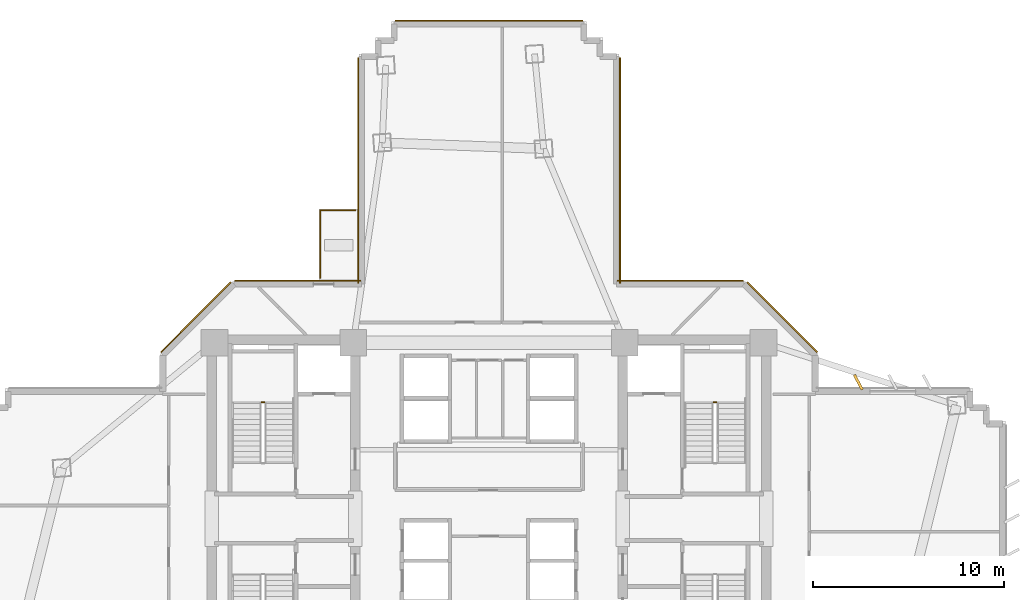
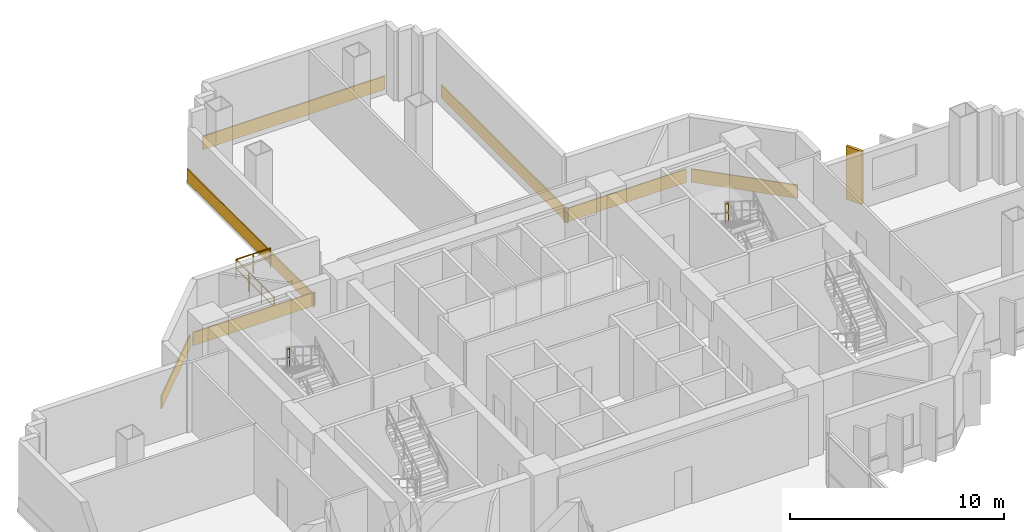
# One storey, part 13 of 14: 7 coverings, 4 railings, 1 shading device.
"""IFC4 building model written with IfcOpenShell, lengths in metres."""

from ifc_helpers import new_model, si_unit, direction, frame, origin, origin_2d, place, context, subcontext, project, spatial, rectangle, extrude, source, transform, mapped, material, layer, layer_set, type_object, element, save


model = new_model("IFC4")

# Units and contexts
model_context = context("Model", 3, precision=1e-05, world=origin(), true_north=direction((0.0, 1.0)))
body_context = subcontext(model_context, "Body", "Model", "MODEL_VIEW")
ifc_project = project(units=[si_unit("LENGTHUNIT", "METRE"), si_unit("AREAUNIT", "SQUARE_METRE"), si_unit("VOLUMEUNIT", "CUBIC_METRE"), si_unit("PLANEANGLEUNIT", "RADIAN"), si_unit("MASSUNIT", "GRAM", prefix="KILO")], contexts=[model_context])

# Site, building, storey
site_placement = place(None, origin())
site = spatial("IfcSite", under=ifc_project, at=site_placement, CompositionType="ELEMENT")
building_placement = place(site_placement, origin())
building = spatial("IfcBuilding", under=site, at=building_placement, Name="Zahravan Cultural Tower", CompositionType="ELEMENT")
storey_placement = place(building_placement, frame((0.0, 0.0, 37.5)))
storey = spatial("IfcBuildingStorey", under=building, at=storey_placement, Name="L07", CompositionType="ELEMENT", Elevation=37.5)

# Railings
ifc_material_1 = material(Name="Steel ASTM A572 Grade 50", Category="steel")
railing_type_1 = type_object("IfcRailingType", Name="RL-BAL-1150", PredefinedType="BALUSTRADE", material=ifc_material_1)
railing_1_placement = place(storey_placement, frame((27.169921875, 43.1298828125, 0.0)))
element("IfcRailing", 1, at=railing_1_placement, inside=storey, type_object=railing_type_1, Name="L07 Edge Balustrade GRD-TR-L07-NW-01", PredefinedType="BALUSTRADE", context=body_context, shape_type="SweptSolid", body=[
    extrude(rectangle(XDim=0.05, YDim=0.05, at=origin_2d()), frame((0.0, 0.0, 1.125), z_axis=(1.0, 0.0, 0.0), x_axis=(0.0, 1.0, 0.0)), (0.0, 0.0, 1.0), 1.85009765625),
    extrude(rectangle(XDim=0.032, YDim=0.032, at=origin_2d()), frame((0.0, 0.0, 0.597900390625), z_axis=(1.0, 0.0, 0.0), x_axis=(0.0, 1.0, 0.0)), (0.0, 0.0, 1.0), 1.85009765625),
    extrude(rectangle(XDim=0.04, YDim=0.04, at=origin_2d()), origin(), (0.0, 0.0, 1.0), 1.14990234375),
    extrude(rectangle(XDim=0.04, YDim=0.04, at=origin_2d()), frame((0.925048828125, 0.0, 0.0)), (0.0, 0.0, 1.0), 1.14990234375),
    extrude(rectangle(XDim=0.04, YDim=0.04, at=origin_2d()), frame((1.85009765625, 0.0, 0.0)), (0.0, 0.0, 1.0), 1.14990234375),
])
railing_2_placement = place(storey_placement, frame((27.169921875, 39.580078125, 0.0)))
element("IfcRailing", 2, at=railing_2_placement, inside=storey, type_object=railing_type_1, Name="L07 Edge Balustrade GRD-TR-L07-NW-02", PredefinedType="BALUSTRADE", context=body_context, shape_type="SweptSolid", body=[
    extrude(rectangle(XDim=0.05, YDim=0.05, at=origin_2d()), frame((0.0, 0.0, 1.125), z_axis=(0.0, 1.0, 0.0), x_axis=(-1.0, 0.0, 0.0)), (0.0, 0.0, 1.0), 3.5498046875),
    extrude(rectangle(XDim=0.032, YDim=0.032, at=origin_2d()), frame((0.0, 0.0, 0.597900390625), z_axis=(0.0, 1.0, 0.0), x_axis=(-1.0, 0.0, 0.0)), (0.0, 0.0, 1.0), 3.5498046875),
    extrude(rectangle(XDim=0.04, YDim=0.04, at=origin_2d()), origin(), (0.0, 0.0, 1.0), 1.14990234375),
    extrude(rectangle(XDim=0.04, YDim=0.04, at=origin_2d()), frame((0.0, 1.183349609375, 0.0)), (0.0, 0.0, 1.0), 1.14990234375),
    extrude(rectangle(XDim=0.04, YDim=0.04, at=origin_2d()), frame((0.0, 2.366455078125, 0.0)), (0.0, 0.0, 1.0), 1.14990234375),
    extrude(rectangle(XDim=0.04, YDim=0.04, at=origin_2d()), frame((0.0, 3.5498046875, 0.0)), (0.0, 0.0, 1.0), 1.14990234375),
])
railing_type_2 = type_object("IfcRailingType", Name="RL-STAIR-GRD1150", PredefinedType="BALUSTRADE", material=ifc_material_1)
for number, where, name in (
    (3, (24.25, 33.080078125, 2.10009765625), "L07 ST-W1 stair guard 2"),
    (4, (47.89990234375, 33.080078125, 2.10009765625), "L07 ST-E1 stair guard 2"),
):
    element("IfcRailing", number, at=place(storey_placement, frame(where)), inside=storey, type_object=railing_type_2, Name=name, PredefinedType="BALUSTRADE", context=body_context, shape_type="SweptSolid", body=[
        extrude(rectangle(XDim=0.05, YDim=0.05, at=origin_2d()), frame((0.0, 0.0, 1.0751953125), z_axis=(-1.0, 0.0, 0.0), x_axis=(0.0, -1.0, 0.0)), (0.0, 0.0, 1.0), 0.14990234375),
        extrude(rectangle(XDim=0.032, YDim=0.032, at=origin_2d()), frame((0.0, 0.0, 0.572021484375), z_axis=(-1.0, 0.0, 0.0), x_axis=(0.0, -1.0, 0.0)), (0.0, 0.0, 1.0), 0.14990234375),
        extrude(rectangle(XDim=0.04, YDim=0.04, at=origin_2d()), origin(), (0.0, 0.0, 1.0), 1.10009765625),
        extrude(rectangle(XDim=0.04, YDim=0.04, at=origin_2d()), frame((-0.14990234375, 0.0, 0.0)), (0.0, 0.0, 1.0), 1.10009765625),
    ])

# Shading device
ifc_material_2 = material(Name="Architectural terracotta fin", Category="masonry")
shading_device_type = type_object("IfcShadingDeviceType", Name="SHD-FIN-880", PredefinedType="USERDEFINED", material=ifc_material_2)
shared_shape_1 = source(origin(), body_context, "Body", "SweptSolid", [
    extrude(rectangle(XDim=0.8798828125, YDim=0.139892578125, at=origin_2d()), origin(), (0.0, 0.0, 1.0), 3.030029296875),
])
shading_device_placement = place(storey_placement, frame((55.31005859375, 34.1298828125, 0.0498046875), z_axis=(0.0, 0.0, 1.0), x_axis=(-0.469471562786, 0.882947592859, 0.0)))
element("IfcShadingDevice", 5, at=shading_device_placement, inside=storey, type_object=shading_device_type, Name="L07 Herringbone Terracotta Fin 01", ObjectType="FIN", PredefinedType="USERDEFINED", context=body_context, shape_type="MappedRepresentation", body=[
    mapped(shared_shape_1, transform((0.0, 0.0, 0.0), x_axis=(1.0, 0.0, 0.0), y_axis=(0.0, 1.0, 0.0), z_axis=(0.0, 0.0, 1.0), scale=1.0)),
])

# Coverings
ifc_material_3 = material(Name="Terracotta ceramic cladding", Category="masonry")
ifc_layer = layer(ifc_material_3, 0.06005859375)
ifc_layer_set = layer_set([ifc_layer], Name="Terracotta ceramic cladding")
covering_type = type_object("IfcCoveringType", Name="COV-CLAD-TC60", PredefinedType="CLADDING", material=ifc_layer_set)
shared_shape_2 = source(origin(), body_context, "Body", "SweptSolid", [
    extrude(rectangle(XDim=9.820068359375, YDim=0.06005859375, at=origin_2d()), origin(), (0.0, 0.0, 1.0), 0.760009765625),
])
covering_placement = place(storey_placement, frame((36.0, 53.044921875, 0.02001953125), z_axis=(0.0, 0.0, 1.0), x_axis=(1.0, 0.0, 0.0)))
element("IfcCovering", 6, at=covering_placement, inside=storey, type_object=covering_type, Name="L07 Terracotta Spandrel Cladding 46", PredefinedType="CLADDING", context=body_context, shape_type="MappedRepresentation", body=[
    mapped(shared_shape_2, transform((0.0, 0.0, 0.0), x_axis=(1.0, 0.0, 0.0), y_axis=(0.0, 1.0, 0.0), z_axis=(0.0, 0.0, 1.0), scale=1.0)),
])
shared_shape_3 = source(origin(), body_context, "Body", "SweptSolid", [
    extrude(rectangle(XDim=5.157958984375, YDim=0.06005859375, at=origin_2d()), origin(), (0.0, 0.0, 1.0), 0.760009765625),
])
for number, where, z_axis, x_axis, name in (
    (7, (20.668212890625, 37.53173828125, 0.02001953125), (0.0, 0.0, 1.0), (0.707106781187, 0.707106781187, 0.0), "L07 Terracotta Spandrel Cladding 39"),
    (8, (51.331787109375, 37.53173828125, 0.02001953125), (0.0, 0.0, 1.0), (0.707106781187, -0.707106781187, 0.0), "L07 Terracotta Spandrel Cladding 53"),
):
    element("IfcCovering", number, at=place(storey_placement, frame(where, z_axis=z_axis, x_axis=x_axis)), inside=storey, type_object=covering_type, Name=name, PredefinedType="CLADDING", context=body_context, shape_type="MappedRepresentation", body=[
        mapped(shared_shape_3, transform((0.0, 0.0, 0.0), x_axis=(1.0, 0.0, 0.0), y_axis=(0.0, 1.0, 0.0), z_axis=(0.0, 0.0, 1.0), scale=1.0)),
    ])
shared_shape_4 = source(origin(), body_context, "Body", "SweptSolid", [
    extrude(rectangle(XDim=6.58203125, YDim=0.06005859375, at=origin_2d()), origin(), (0.0, 0.0, 1.0), 0.760009765625),
])
for number, where, z_axis, x_axis, name in (
    (9, (25.9990234375, 39.445068359375, 0.02001953125), (0.0, 0.0, 1.0), (1.0, 0.0, 0.0), "L07 Terracotta Spandrel Cladding 40"),
    (10, (46.0009765625, 39.445068359375, 0.02001953125), (0.0, 0.0, 1.0), (1.0, 0.0, 0.0), "L07 Terracotta Spandrel Cladding 52"),
):
    element("IfcCovering", number, at=place(storey_placement, frame(where, z_axis=z_axis, x_axis=x_axis)), inside=storey, type_object=covering_type, Name=name, PredefinedType="CLADDING", context=body_context, shape_type="MappedRepresentation", body=[
        mapped(shared_shape_4, transform((0.0, 0.0, 0.0), x_axis=(1.0, 0.0, 0.0), y_axis=(0.0, 1.0, 0.0), z_axis=(0.0, 0.0, 1.0), scale=1.0)),
    ])
shared_shape_5 = source(origin(), body_context, "Body", "SweptSolid", [
    extrude(rectangle(XDim=11.800048828125, YDim=0.06005859375, at=origin_2d()), origin(), (0.0, 0.0, 1.0), 0.760009765625),
])
for number, where, z_axis, x_axis, name in (
    (11, (29.155029296875, 45.2099609375, 0.02001953125), (0.0, 0.0, 1.0), (0.0, 1.0, 0.0), "L07 Terracotta Spandrel Cladding 41"),
    (12, (42.844970703125, 45.2099609375, 0.02001953125), (0.0, 0.0, 1.0), (0.0, -1.0, 0.0), "L07 Terracotta Spandrel Cladding 51"),
):
    element("IfcCovering", number, at=place(storey_placement, frame(where, z_axis=z_axis, x_axis=x_axis)), inside=storey, type_object=covering_type, Name=name, PredefinedType="CLADDING", context=body_context, shape_type="MappedRepresentation", body=[
        mapped(shared_shape_5, transform((0.0, 0.0, 0.0), x_axis=(1.0, 0.0, 0.0), y_axis=(0.0, 1.0, 0.0), z_axis=(0.0, 0.0, 1.0), scale=1.0)),
    ])

save(model, "model.ifc")
